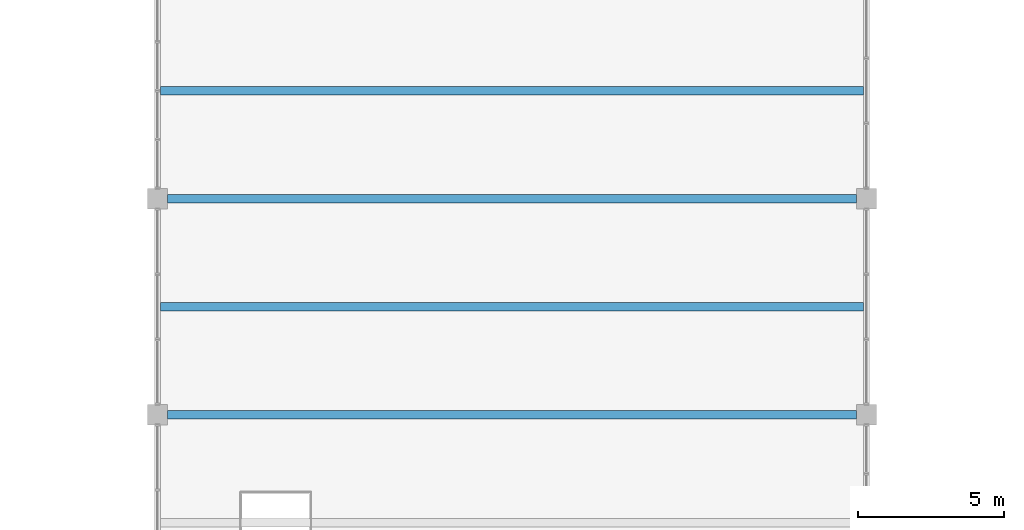
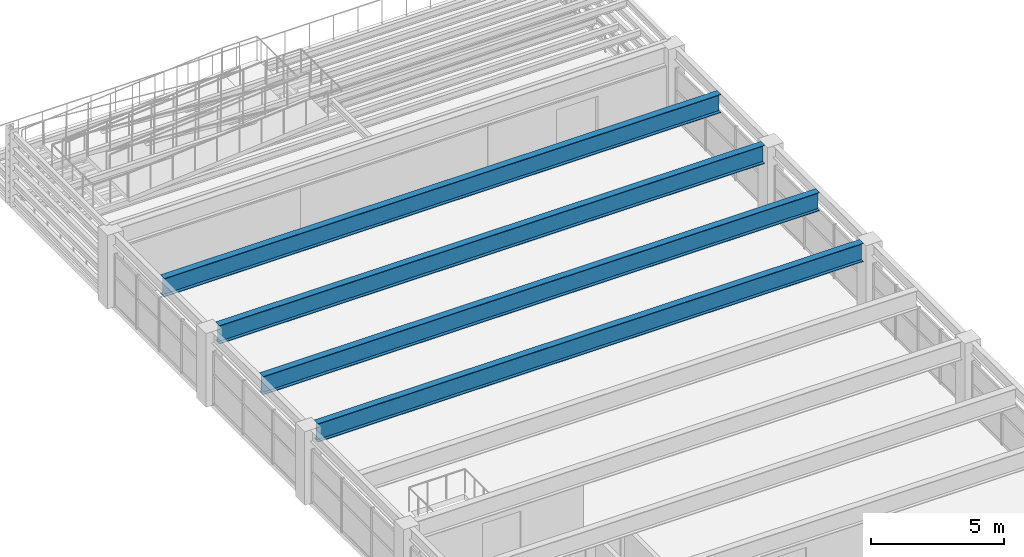
# One storey, part 63 of 121: 4 beams.
"""IFC4 building model written with IfcOpenShell, lengths in metres."""

import ifcopenshell
import ifcopenshell.guid

model = None  # the IFC model being written
_history = None  # IfcOwnerHistory: only IFC2X3 demands one
_inside = {}  # id of a spatial element -> (the spatial element, [elements in it])
_under = {}  # id of a project, library or spatial element -> (it, [spatial elements below it])
_declared = {}  # id of a project -> (the project, [libraries it declares])
_typed = {}  # id of a type object -> (the type object, [elements of that type])
_made_of = {}  # id of a material, layer set ... -> (it, [elements and type objects made of it])


def new_model(schema):
    """Start an empty IFC model of exactly this schema.

    Asked for "IFC4X3", IfcOpenShell would pick the latest addendum, in which some entities
    have other attributes; the version numbers below select the first issue.
    IFC2X3 requires an IfcOwnerHistory on every rooted entity: one is made here for all.
    """
    global model, _history
    if schema == "IFC4X3":
        model = ifcopenshell.file(schema_version=(4, 3, 0, 0))
    else:
        model = ifcopenshell.file(schema=schema)
    _inside.clear()
    _under.clear()
    _declared.clear()
    _typed.clear()
    _made_of.clear()
    _history = None
    if model.schema == "IFC2X3":
        org = make("IfcOrganization", Name="unknown")
        user = make(
            "IfcPersonAndOrganization",
            ThePerson=make("IfcPerson", FamilyName="unknown"),
            TheOrganization=org,
        )
        app = make(
            "IfcApplication",
            ApplicationDeveloper=org,
            Version="unknown",
            ApplicationFullName="unknown",
            ApplicationIdentifier="unknown",
        )
        _history = make(
            "IfcOwnerHistory",
            OwningUser=user,
            OwningApplication=app,
            ChangeAction="ADDED",
            CreationDate=0,
        )
    return model


def make(cls, **values):
    """One entity of the class cls with the attributes given. An attribute that is None is left unset."""
    return model.create_entity(
        cls, **{name: value for name, value in values.items() if value is not None}
    )


def rooted(cls, **values):
    """An entity with a GlobalId (a new one), such as an element, a storey or a relation."""
    return make(cls, GlobalId=ifcopenshell.guid.new(), OwnerHistory=_history, **values)


def si_unit(unit_type, name, prefix=None):
    """IfcSIUnit, for example si_unit("LENGTHUNIT", "METRE", prefix="MILLI")."""
    return make("IfcSIUnit", UnitType=unit_type, Prefix=prefix, Name=name)


def assignment(units):
    """IfcUnitAssignment: the units of a project."""
    return None if units is None else make("IfcUnitAssignment", Units=units)


def point(xyz):
    """IfcCartesianPoint."""
    return None if xyz is None else make("IfcCartesianPoint", Coordinates=xyz)


def direction(xyz):
    """IfcDirection."""
    return None if xyz is None else make("IfcDirection", DirectionRatios=xyz)


def frame(location, z_axis=None, x_axis=None):
    """IfcAxis2Placement3D, a coordinate frame: its origin and axes. An axis left out is left unset."""
    return make(
        "IfcAxis2Placement3D",
        Location=point(location),
        Axis=direction(z_axis),
        RefDirection=direction(x_axis),
    )


def frame_2d(location, x_axis=None):
    """IfcAxis2Placement2D, a coordinate frame in the plane: its origin and x axis."""
    return make(
        "IfcAxis2Placement2D", Location=point(location), RefDirection=direction(x_axis)
    )


def origin():
    """The frame at (0, 0, 0) with its axes left unset."""
    return frame((0.0, 0.0, 0.0))


def origin_2d():
    """The frame at (0, 0) in the plane with its x axis left unset."""
    return frame_2d((0.0, 0.0))


def place(relative_to, where):
    """IfcLocalPlacement: puts the frame where relative to a parent placement (None: the world)."""
    return make(
        "IfcLocalPlacement", PlacementRelTo=relative_to, RelativePlacement=where
    )


def context(
    kind, dimensions, precision=None, world=None, true_north=None, identifier=None
):
    """IfcGeometricRepresentationContext, for example the 3D "Model" context."""
    return make(
        "IfcGeometricRepresentationContext",
        ContextIdentifier=identifier,
        ContextType=kind,
        CoordinateSpaceDimension=dimensions,
        Precision=precision,
        WorldCoordinateSystem=world,
        TrueNorth=true_north,
    )


def subcontext(parent, identifier, kind, view, scale=None):
    """IfcGeometricRepresentationSubContext, for example "Body" below "Model"."""
    return make(
        "IfcGeometricRepresentationSubContext",
        ContextIdentifier=identifier,
        ContextType=kind,
        ParentContext=parent,
        TargetScale=scale,
        TargetView=view,
    )


def project(units=None, contexts=None):
    """IfcProject with its units and contexts."""
    return rooted(
        "IfcProject",
        Name="project",
        RepresentationContexts=contexts,
        UnitsInContext=assignment(units),
    )


def spatial(cls, under=None, at=None, **own):
    """A site, building, storey or space (cls), placed at a placement, below another one or the project."""
    s = rooted(cls, ObjectPlacement=at, **own)
    if under is not None:
        _under.setdefault(under.id(), (under, []))[1].append(s)
    return s


def profile(cls, at=None, kind="AREA", **sizes):
    """A parametric profile (cls). Its sizes go by their IFC names, for example OverallWidth=200.0."""
    return make(cls, ProfileType=kind, Position=at, **sizes)


def i_section(**sizes):
    """IfcIShapeProfileDef."""
    return profile("IfcIShapeProfileDef", **sizes)


def extrude(swept, where, along, depth):
    """IfcExtrudedAreaSolid: the profile swept, set in the frame where, extruded along a direction by depth."""
    return make(
        "IfcExtrudedAreaSolid",
        SweptArea=swept,
        Position=where,
        ExtrudedDirection=direction(along),
        Depth=depth,
    )


def shape(context_of_items, identifier, shape_type, items):
    """IfcShapeRepresentation: the items that make up one representation, for example the "Body"."""
    return make(
        "IfcShapeRepresentation",
        ContextOfItems=context_of_items,
        RepresentationIdentifier=identifier,
        RepresentationType=shape_type,
        Items=items,
    )


def material(Name=None, Category=None):
    """IfcMaterial."""
    return make("IfcMaterial", Name=Name, Category=Category)


def material_profile(
    of_material, cross_section, Name=None, Category=None, Priority=None
):
    """IfcMaterialProfile: a cross section and its material."""
    return make(
        "IfcMaterialProfile",
        Name=Name,
        Material=of_material,
        Profile=cross_section,
        Priority=Priority,
        Category=Category,
    )


def profile_set(profiles, Name=None, composite=None):
    """IfcMaterialProfileSet."""
    return make(
        "IfcMaterialProfileSet",
        Name=Name,
        MaterialProfiles=profiles,
        CompositeProfile=composite,
    )


def made_of(thing, what):
    """Note that an element or type object is made of a material, layer set ...; save() writes the relation."""
    if what is not None:
        _made_of.setdefault(what.id(), (what, []))[1].append(thing)
    return thing


def type_object(cls, material=None, **own):
    """A type object (cls), such as IfcWallType, which elements share."""
    return made_of(rooted(cls, **own), material)


def element(
    cls,
    number,
    at=None,
    inside=None,
    cuts=None,
    type_object=None,
    material=None,
    context=None,
    identifier="Body",
    shape_type=None,
    held_by="IfcProductDefinitionShape",
    body=None,
    shapes=None,
    **own,
):
    """One element of the class cls, such as IfcWall. Its Tag is "e" and its number.

    at: its placement. inside: the storey or other place that contains it. cuts: it is an
    opening in that element (IfcRelVoidsElement). A single representation is given by context,
    identifier, shape_type and body (its items); several are given by shapes. held_by: the class
    of the entity that holds the representations. save() writes the other relations.
    """
    e = rooted(cls, Tag="e%d" % number, ObjectPlacement=at, **own)
    if body is not None:
        shapes = [shape(context, identifier, shape_type, body)]
    if shapes is not None:
        e.Representation = make(held_by, Representations=shapes)
    if inside is not None:
        _inside.setdefault(inside.id(), (inside, []))[1].append(e)
    if cuts is not None:
        rooted(
            "IfcRelVoidsElement", RelatingBuildingElement=cuts, RelatedOpeningElement=e
        )
    if type_object is not None:
        _typed.setdefault(type_object.id(), (type_object, []))[1].append(e)
    return made_of(e, material)


def aggregate(whole, parts):
    """IfcRelAggregates: a whole, such as a stair, and the parts it consists of."""
    return rooted("IfcRelAggregates", RelatingObject=whole, RelatedObjects=parts)


def save(model, path):
    """Write the relations noted so far, then the file.

    IfcRelAggregates (storeys below a building ...), IfcRelContainedInSpatialStructure (elements
    in a storey), IfcRelDefinesByType, IfcRelAssociatesMaterial and IfcRelDeclares: one each for
    every whole, place, type object, material and project.
    """
    for whole, parts in _under.values():
        aggregate(whole, parts)
    for where, things in _inside.values():
        rooted(
            "IfcRelContainedInSpatialStructure",
            RelatedElements=things,
            RelatingStructure=where,
        )
    for kind, things in _typed.values():
        rooted("IfcRelDefinesByType", RelatedObjects=things, RelatingType=kind)
    for what, things in _made_of.values():
        rooted("IfcRelAssociatesMaterial", RelatedObjects=things, RelatingMaterial=what)
    for by, libraries in _declared.values():
        rooted("IfcRelDeclares", RelatingContext=by, RelatedDefinitions=libraries)
    model.write(path)


model = new_model("IFC4")

# Units and contexts
model_context = context("Model", 3, precision=1e-05, world=origin(), true_north=direction((0.0, 1.0)))
body_context = subcontext(model_context, "Body", "Model", "MODEL_VIEW")
ifc_project = project(units=[si_unit("LENGTHUNIT", "METRE"), si_unit("AREAUNIT", "SQUARE_METRE"), si_unit("VOLUMEUNIT", "CUBIC_METRE"), si_unit("PLANEANGLEUNIT", "RADIAN"), si_unit("MASSUNIT", "GRAM", prefix="KILO")], contexts=[model_context])

# Site, building, storey
site_placement = place(None, origin())
site = spatial("IfcSite", under=ifc_project, at=site_placement, CompositionType="ELEMENT")
building_placement = place(site_placement, origin())
building = spatial("IfcBuilding", under=site, at=building_placement, Name="Cimatlan Art Gallery", CompositionType="ELEMENT")
storey_placement = place(building_placement, frame((0.0, 0.0, 10.199951171875)))
storey = spatial("IfcBuildingStorey", under=building, at=storey_placement, Name="L02", CompositionType="ELEMENT", Elevation=10.199951171875)

# Beams
ifc_material = material(Name="Steel ASTM A992 Grade 50", Category="steel")
ifc_material_profile = material_profile(ifc_material, i_section(OverallWidth=0.2919921875, OverallDepth=0.845947265625, WebThickness=0.015380859375, FlangeThickness=0.0244140625, at=origin_2d()), Name="W33X141")
ifc_profile_set = profile_set([ifc_material_profile], Name="Steel ASTM A992 Grade 50")
beam_type = type_object("IfcBeamType", Name="BM-SPAN24-L03", PredefinedType="BEAM", material=ifc_profile_set)
beam_1_placement = place(storey_placement, frame((75.25, 83.10009765625, 2.947021484375), z_axis=(1.0, 0.0, 0.0), x_axis=(0.0, 1.0, 0.0)))
element("IfcBeam", 1, at=beam_1_placement, inside=storey, type_object=beam_type, Name="BM-SP24-L02-11", PredefinedType="BEAM", context=body_context, shape_type="SweptSolid", body=[
    extrude(i_section(OverallWidth=0.2919921875, OverallDepth=0.845947265625, WebThickness=0.015380859375, FlangeThickness=0.0244140625, at=origin_2d()), origin(), (0.0, 0.0, 1.0), 23.60009765625),
])
beam_2_placement = place(storey_placement, frame((75.0048828125, 86.800048828125, 2.947021484375), z_axis=(1.0, 0.0, 0.0), x_axis=(0.0, 1.0, 0.0)))
element("IfcBeam", 2, at=beam_2_placement, inside=storey, type_object=beam_type, Name="BM-SP24M-L02-11", PredefinedType="BEAM", context=body_context, shape_type="SweptSolid", body=[
    extrude(i_section(OverallWidth=0.2919921875, OverallDepth=0.845947265625, WebThickness=0.015380859375, FlangeThickness=0.0244140625, at=origin_2d()), origin(), (0.0, 0.0, 1.0), 24.090087890625),
])
beam_3_placement = place(storey_placement, frame((75.25, 90.5, 2.947021484375), z_axis=(1.0, 0.0, 0.0), x_axis=(0.0, 1.0, 0.0)))
element("IfcBeam", 3, at=beam_3_placement, inside=storey, type_object=beam_type, Name="BM-SP24-L02-12", PredefinedType="BEAM", context=body_context, shape_type="SweptSolid", body=[
    extrude(i_section(OverallWidth=0.2919921875, OverallDepth=0.845947265625, WebThickness=0.015380859375, FlangeThickness=0.0244140625, at=origin_2d()), origin(), (0.0, 0.0, 1.0), 23.60009765625),
])
beam_4_placement = place(storey_placement, frame((75.0048828125, 94.199951171875, 2.947021484375), z_axis=(1.0, 0.0, 0.0), x_axis=(0.0, 1.0, 0.0)))
element("IfcBeam", 4, at=beam_4_placement, inside=storey, type_object=beam_type, Name="BM-SP24M-L02-12", PredefinedType="BEAM", context=body_context, shape_type="SweptSolid", body=[
    extrude(i_section(OverallWidth=0.2919921875, OverallDepth=0.845947265625, WebThickness=0.015380859375, FlangeThickness=0.0244140625, at=origin_2d()), origin(), (0.0, 0.0, 1.0), 24.090087890625),
])

save(model, "model.ifc")
